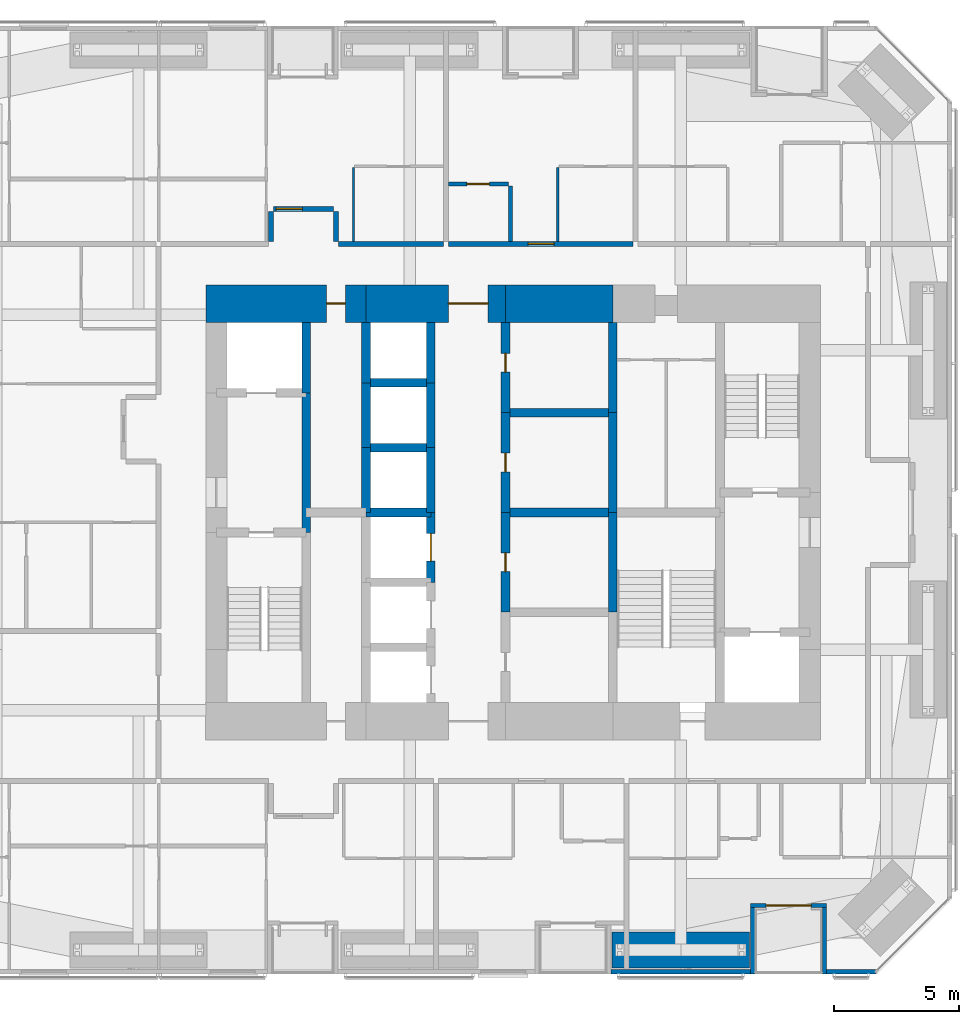
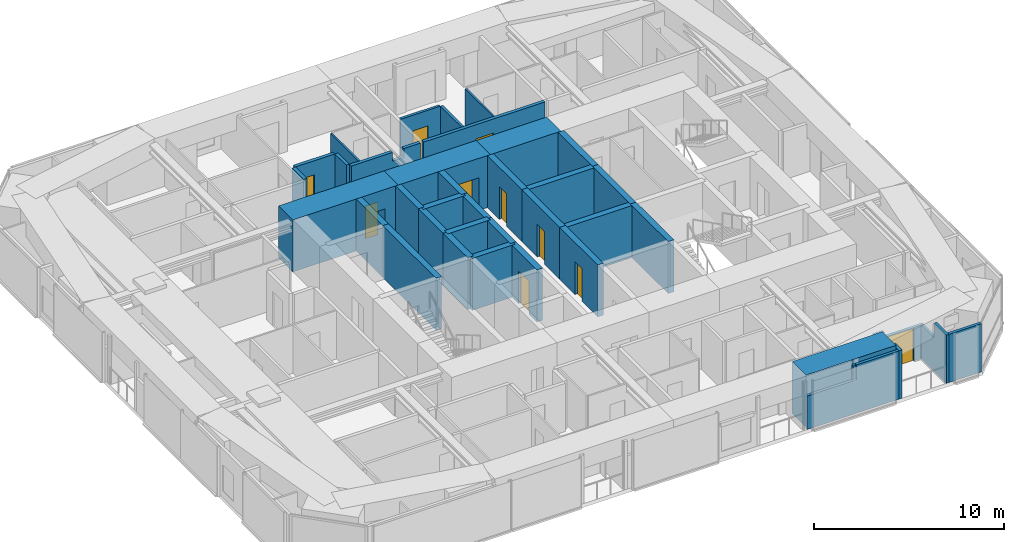
# One storey, part 20 of 25: 39 walls, 10 doors, 10 openings.
"""IFC4 building model written with IfcOpenShell, lengths in metres."""

from ifc_helpers import new_model, si_unit, direction, frame, frame_2d, origin, place, context, subcontext, project, spatial, polyline, rectangle, outline, extrude, material, layer, layer_set, constituent, constituent_set, type_object, element, fill, save


model = new_model("IFC4")

# Units and contexts
model_context = context("Model", 3, precision=1e-05, world=origin(), true_north=direction((0.0, 1.0)))
body_context = subcontext(model_context, "Body", "Model", "MODEL_VIEW")
ifc_project = project(units=[si_unit("LENGTHUNIT", "METRE"), si_unit("AREAUNIT", "SQUARE_METRE"), si_unit("VOLUMEUNIT", "CUBIC_METRE"), si_unit("PLANEANGLEUNIT", "RADIAN"), si_unit("MASSUNIT", "GRAM", prefix="KILO")], contexts=[model_context])

# Site, building, storey
site_placement = place(None, origin())
site = spatial("IfcSite", under=ifc_project, at=site_placement, CompositionType="ELEMENT")
building_placement = place(site_placement, origin())
building = spatial("IfcBuilding", under=site, at=building_placement, Name="Jalousie Tower", CompositionType="ELEMENT")
storey_placement = place(building_placement, frame((0.0, 0.0, 94.800048828125)))
storey = spatial("IfcBuildingStorey", under=building, at=storey_placement, Name="L25", CompositionType="ELEMENT", Elevation=94.800048828125)

# Wall, opening, door
ifc_material_1 = material(Name="Concrete block ASTM C90", Category="concrete")
ifc_constituent_1 = constituent(ifc_material_1, Name="Body")
ifc_material_2 = material(Name="Render")
ifc_constituent_2 = constituent(ifc_material_2, Name="Finish")
ifc_constituent_set_1 = constituent_set(constituents=[ifc_constituent_1, ifc_constituent_2])
wall_type_1 = type_object("IfcWallType", Name="BATHROOM WALL 150", PredefinedType="PLUMBINGWALL", material=ifc_constituent_set_1)
wall_1_placement = place(storey_placement, frame((29.300048828125, 31.675048828125, 0.0), z_axis=(0.0, 0.0, 1.0), x_axis=(1.0, 0.0, 0.0)))
wall_1 = element("IfcWall", 1, at=wall_1_placement, inside=storey, type_object=wall_type_1, Name="Bathroom Wall 150 L25", PredefinedType="PLUMBINGWALL", context=body_context, shape_type="SweptSolid", body=[
    extrude(rectangle(XDim=2.425048828125, YDim=0.14990234375, at=frame_2d((1.21240234375, 0.0))), origin(), (0.0, 0.0, 1.0), 3.10986328125),
])
opening_1_placement = place(wall_1_placement, frame((0.75, 0.0, 0.0)))
opening_1 = element("IfcOpeningElement", 2, at=opening_1_placement, cuts=wall_1, Name="Opening D3", PredefinedType="OPENING", context=body_context, shape_type="SweptSolid", body=[
    extrude(rectangle(XDim=0.89990234375, YDim=2.10009765625, at=frame_2d((0.449951171875, 1.050048828125))), frame((0.0, 0.0849609375, 0.0), z_axis=(0.0, -1.0, 0.0), x_axis=(1.0, 0.0, 0.0)), (0.0, 0.0, 1.0), 0.169921875),
])
ifc_material_3 = material(Name="Timber door", Category="wood")
door_type_1 = type_object("IfcDoorType", Name="BATHROOM DOOR 900", OperationType="SINGLE_SWING_LEFT", PredefinedType="DOOR", material=ifc_material_3)
door_1_placement = place(opening_1_placement, frame((0.89990234375, 0.0, 0.0), z_axis=(0.0, 0.0, 1.0), x_axis=(-1.0, 0.0, 0.0)))
door_1 = element("IfcDoor", 3, at=door_1_placement, inside=storey, type_object=door_type_1, Name="Apartment 2505 bathroom door", OperationType="SINGLE_SWING_RIGHT", OverallHeight=2.10009765625, OverallWidth=0.89990234375, PredefinedType="DOOR", context=body_context, shape_type="SweptSolid", body=[
    extrude(rectangle(XDim=0.89990234375, YDim=2.10009765625, at=frame_2d((0.449951171875, 1.050048828125))), frame((0.0, 0.02490234375, 0.0), z_axis=(0.0, -1.0, 0.0), x_axis=(1.0, 0.0, 0.0)), (0.0, 0.0, 1.0), 0.050048828125),
])
fill(opening_1, door_1)

# Walls
wall_2_placement = place(storey_placement, frame((31.800048828125, 31.60009765625, 0.0), z_axis=(0.0, 0.0, 1.0), x_axis=(0.0, -1.0, 0.0)))
element("IfcWall", 4, at=wall_2_placement, inside=storey, type_object=wall_type_1, Name="Bathroom Wall 150 L25", PredefinedType="PLUMBINGWALL", context=body_context, shape_type="SweptSolid", body=[
    extrude(rectangle(XDim=2.22509765625, YDim=0.14990234375, at=frame_2d((1.112548828125, 0.0))), origin(), (0.0, 0.0, 1.0), 3.10986328125),
])
ifc_material_4 = material(Name="Concrete f'c 120 MPa", Category="concrete")
ifc_layer_1 = layer(ifc_material_4, 1.5)
ifc_layer_set_1 = layer_set([ifc_layer_1], Name="Concrete f'c 120 MPa")
wall_type_2 = type_object("IfcWallType", Name="CORE WALL 1500", PredefinedType="SHEAR", material=ifc_layer_set_1)
wall_3_placement = place(storey_placement, frame((35.89990234375, 26.875, 0.0), z_axis=(0.0, 0.0, 1.0), x_axis=(-1.0, 0.0, 0.0)))
element("IfcWall", 5, at=wall_3_placement, inside=storey, type_object=wall_type_2, Name="Core wall NB L25", PredefinedType="SHEAR", context=body_context, shape_type="SweptSolid", body=[
    extrude(rectangle(XDim=4.2998046875, YDim=1.5, at=frame_2d((2.14990234375, 0.0))), origin(), (0.0, 0.0, 1.0), 3.349853515625),
])

# Wall, opening, door
wall_4_placement = place(storey_placement, frame((31.60009765625, 26.875, 0.0), z_axis=(0.0, 0.0, 1.0), x_axis=(-1.0, 0.0, 0.0)))
wall_4 = element("IfcWall", 6, at=wall_4_placement, inside=storey, type_object=wall_type_2, Name="Core wall NC L25", PredefinedType="SHEAR", context=body_context, shape_type="SweptSolid", body=[
    extrude(rectangle(XDim=5.60009765625, YDim=1.5, at=frame_2d((2.800048828125, 0.0))), origin(), (0.0, 0.0, 1.0), 3.349853515625),
])
opening_2_placement = place(wall_4_placement, frame((0.699951171875, 0.0, 0.0)))
opening_2 = element("IfcOpeningElement", 7, at=opening_2_placement, cuts=wall_4, Name="Opening D15", PredefinedType="OPENING", context=body_context, shape_type="SweptSolid", body=[
    extrude(rectangle(XDim=1.60009765625, YDim=2.10009765625, at=frame_2d((0.800048828125, 1.050048828125))), frame((0.0, 0.760009765625, 0.0), z_axis=(0.0, -1.0, 0.0), x_axis=(1.0, 0.0, 0.0)), (0.0, 0.0, 1.0), 1.52001953125),
])
ifc_material_5 = material(Name="Steel fire door", Category="steel")
door_type_2 = type_object("IfcDoorType", Name="LIFT LOBBY DOOR 1600", OperationType="DOUBLE_DOOR_SINGLE_SWING", PredefinedType="DOOR", material=ifc_material_5)
door_2_placement = place(opening_2_placement, origin())
door_2 = element("IfcDoor", 8, at=door_2_placement, inside=storey, type_object=door_type_2, Name="Lift lobby north door", OperationType="DOUBLE_DOOR_SINGLE_SWING", OverallHeight=2.10009765625, OverallWidth=1.60009765625, PredefinedType="DOOR", context=body_context, shape_type="SweptSolid", body=[
    extrude(rectangle(XDim=1.60009765625, YDim=2.10009765625, at=frame_2d((0.800048828125, 1.050048828125))), frame((0.0, 0.02490234375, 0.0), z_axis=(0.0, -1.0, 0.0), x_axis=(1.0, 0.0, 0.0)), (0.0, 0.0, 1.0), 0.050048828125),
])
fill(opening_2, door_2)

wall_5_placement = place(storey_placement, frame((26.0, 26.875, 0.0), z_axis=(0.0, 0.0, 1.0), x_axis=(-1.0, 0.0, 0.0)))
wall_5 = element("IfcWall", 9, at=wall_5_placement, inside=storey, type_object=wall_type_2, Name="Core wall ND L25", PredefinedType="SHEAR", context=body_context, shape_type="SweptSolid", body=[
    extrude(rectangle(XDim=6.425048828125, YDim=1.5, at=frame_2d((3.21240234375, 0.0))), origin(), (0.0, 0.0, 1.0), 3.349853515625),
])
opening_3_placement = place(wall_5_placement, frame((0.824951171875, 0.0, 0.0)))
opening_3 = element("IfcOpeningElement", 10, at=opening_3_placement, cuts=wall_5, Name="Opening D16", PredefinedType="OPENING", context=body_context, shape_type="SweptSolid", body=[
    extrude(rectangle(XDim=0.75, YDim=2.10009765625, at=frame_2d((0.375, 1.050048828125))), frame((0.0, 0.760009765625, 0.0), z_axis=(0.0, -1.0, 0.0), x_axis=(1.0, 0.0, 0.0)), (0.0, 0.0, 1.0), 1.52001953125),
])
ifc_material_6 = material(Name="Steel fire door", Category="steel")
door_type_3 = type_object("IfcDoorType", Name="RISER DOOR 750", OperationType="SINGLE_SWING_LEFT", PredefinedType="DOOR", material=ifc_material_6)
door_3_placement = place(opening_3_placement, origin())
door_3 = element("IfcDoor", 11, at=door_3_placement, inside=storey, type_object=door_type_3, Name="North riser door", OperationType="SINGLE_SWING_RIGHT", OverallHeight=2.10009765625, OverallWidth=0.75, PredefinedType="DOOR", context=body_context, shape_type="SweptSolid", body=[
    extrude(rectangle(XDim=0.75, YDim=2.10009765625, at=frame_2d((0.375, 1.050048828125))), frame((0.0, 0.02490234375, 0.0), z_axis=(0.0, -1.0, 0.0), x_axis=(1.0, 0.0, 0.0)), (0.0, 0.0, 1.0), 0.050048828125),
])
fill(opening_3, door_3)

# Walls
ifc_material_7 = material(Name="Concrete f'c 120 MPa", Category="concrete")
ifc_layer_2 = layer(ifc_material_7, 0.35009765625)
ifc_layer_set_2 = layer_set([ifc_layer_2], Name="Concrete f'c 120 MPa")
wall_type_3 = type_object("IfcWallType", Name="CORE WALL 350", PredefinedType="SHEAR", material=ifc_layer_set_2)
wall_6_placement = place(storey_placement, frame((23.60009765625, 17.699951171875, 0.0), z_axis=(0.0, 0.0, 1.0), x_axis=(0.0, 1.0, 0.0)))
element("IfcWall", 12, at=wall_6_placement, inside=storey, type_object=wall_type_3, Name="Core wall X23.6B L25", PredefinedType="SHEAR", context=body_context, shape_type="SweptSolid", body=[
    extrude(rectangle(XDim=5.60009765625, YDim=0.35009765625, at=frame_2d((2.800048828125, 0.0))), origin(), (0.0, 0.0, 1.0), 3.349853515625),
])
wall_7_placement = place(storey_placement, frame((23.60009765625, 23.300048828125, 0.0), z_axis=(0.0, 0.0, 1.0), x_axis=(0.0, 1.0, 0.0)))
element("IfcWall", 13, at=wall_7_placement, inside=storey, type_object=wall_type_3, Name="Core wall X23.6C L25", PredefinedType="SHEAR", context=body_context, shape_type="SweptSolid", body=[
    extrude(rectangle(XDim=2.824951171875, YDim=0.35009765625, at=frame_2d((1.41259765625, 0.0))), origin(), (0.0, 0.0, 1.0), 3.349853515625),
])
wall_8_placement = place(storey_placement, frame((26.0, 18.5, 0.0), z_axis=(0.0, 0.0, 1.0), x_axis=(0.0, 1.0, 0.0)))
element("IfcWall", 14, at=wall_8_placement, inside=storey, type_object=wall_type_3, Name="Core wall X26D L25", PredefinedType="SHEAR", context=body_context, shape_type="SweptSolid", body=[
    extrude(rectangle(XDim=2.60009765625, YDim=0.35009765625, at=frame_2d((1.300048828125, 0.0))), origin(), (0.0, 0.0, 1.0), 3.349853515625),
])
wall_9_placement = place(storey_placement, frame((26.0, 21.10009765625, 0.0), z_axis=(0.0, 0.0, 1.0), x_axis=(0.0, 1.0, 0.0)))
element("IfcWall", 15, at=wall_9_placement, inside=storey, type_object=wall_type_3, Name="Core wall X26E L25", PredefinedType="SHEAR", context=body_context, shape_type="SweptSolid", body=[
    extrude(rectangle(XDim=2.599853515625, YDim=0.35009765625, at=frame_2d((1.2998046875, 0.0))), origin(), (0.0, 0.0, 1.0), 3.349853515625),
])
wall_10_placement = place(storey_placement, frame((26.0, 23.699951171875, 0.0), z_axis=(0.0, 0.0, 1.0), x_axis=(0.0, 1.0, 0.0)))
element("IfcWall", 16, at=wall_10_placement, inside=storey, type_object=wall_type_3, Name="Core wall X26F L25", PredefinedType="SHEAR", context=body_context, shape_type="SweptSolid", body=[
    extrude(rectangle(XDim=2.425048828125, YDim=0.35009765625, at=frame_2d((1.21240234375, 0.0))), origin(), (0.0, 0.0, 1.0), 3.349853515625),
])

# Wall, opening, door
wall_11_placement = place(storey_placement, frame((28.60009765625, 15.699951171875, 0.0), z_axis=(0.0, 0.0, 1.0), x_axis=(0.0, 1.0, 0.0)))
wall_11 = element("IfcWall", 17, at=wall_11_placement, inside=storey, type_object=wall_type_3, Name="Core wall X28.6C L25", PredefinedType="SHEAR", context=body_context, shape_type="SweptSolid", body=[
    extrude(rectangle(XDim=2.800048828125, YDim=0.35009765625, at=frame_2d((1.39990234375, 0.0))), origin(), (0.0, 0.0, 1.0), 3.349853515625),
])
opening_4_placement = place(wall_11_placement, frame((0.85009765625, 0.0, 0.0)))
opening_4 = element("IfcOpeningElement", 18, at=opening_4_placement, cuts=wall_11, Name="Opening LD1", PredefinedType="OPENING", context=body_context, shape_type="SweptSolid", body=[
    extrude(rectangle(XDim=1.10009765625, YDim=2.10009765625, at=frame_2d((0.550048828125, 1.050048828125))), frame((0.0, 0.18505859375, 0.0), z_axis=(0.0, -1.0, 0.0), x_axis=(1.0, 0.0, 0.0)), (0.0, 0.0, 1.0), 0.3701171875),
])
ifc_material_8 = material(Name="Steel lift landing door", Category="steel")
door_type_4 = type_object("IfcDoorType", Name="LIFT LANDING DOOR 1100", OperationType="SLIDING_TO_LEFT", PredefinedType="DOOR", material=ifc_material_8)
door_4_placement = place(opening_4_placement, origin())
door_4 = element("IfcDoor", 19, at=door_4_placement, inside=storey, type_object=door_type_4, Name="Lift P3 landing door", OperationType="SLIDING_TO_LEFT", OverallHeight=2.10009765625, OverallWidth=1.10009765625, PredefinedType="DOOR", context=body_context, shape_type="SweptSolid", body=[
    extrude(rectangle(XDim=1.10009765625, YDim=2.10009765625, at=frame_2d((0.550048828125, 1.050048828125))), frame((0.0, 0.02490234375, 0.0), z_axis=(0.0, -1.0, 0.0), x_axis=(1.0, 0.0, 0.0)), (0.0, 0.0, 1.0), 0.050048828125),
])
fill(opening_4, door_4)

# Walls
wall_12_placement = place(storey_placement, frame((28.60009765625, 18.5, 0.0), z_axis=(0.0, 0.0, 1.0), x_axis=(0.0, 1.0, 0.0)))
element("IfcWall", 20, at=wall_12_placement, inside=storey, type_object=wall_type_3, Name="Core wall X28.6D L25", PredefinedType="SHEAR", context=body_context, shape_type="SweptSolid", body=[
    extrude(rectangle(XDim=2.60009765625, YDim=0.35009765625, at=frame_2d((1.300048828125, 0.0))), origin(), (0.0, 0.0, 1.0), 3.349853515625),
])
wall_13_placement = place(storey_placement, frame((28.60009765625, 21.10009765625, 0.0), z_axis=(0.0, 0.0, 1.0), x_axis=(0.0, 1.0, 0.0)))
element("IfcWall", 21, at=wall_13_placement, inside=storey, type_object=wall_type_3, Name="Core wall X28.6E L25", PredefinedType="SHEAR", context=body_context, shape_type="SweptSolid", body=[
    extrude(rectangle(XDim=2.599853515625, YDim=0.35009765625, at=frame_2d((1.2998046875, 0.0))), origin(), (0.0, 0.0, 1.0), 3.349853515625),
])
wall_14_placement = place(storey_placement, frame((28.60009765625, 23.699951171875, 0.0), z_axis=(0.0, 0.0, 1.0), x_axis=(0.0, 1.0, 0.0)))
element("IfcWall", 22, at=wall_14_placement, inside=storey, type_object=wall_type_3, Name="Core wall X28.6F L25", PredefinedType="SHEAR", context=body_context, shape_type="SweptSolid", body=[
    extrude(rectangle(XDim=2.425048828125, YDim=0.35009765625, at=frame_2d((1.21240234375, 0.0))), origin(), (0.0, 0.0, 1.0), 3.349853515625),
])

# Wall, opening, door
wall_15_placement = place(storey_placement, frame((31.60009765625, 14.5, 0.0), z_axis=(0.0, 0.0, 1.0), x_axis=(0.0, 1.0, 0.0)))
wall_15 = element("IfcWall", 23, at=wall_15_placement, inside=storey, type_object=wall_type_3, Name="Core wall X31.6B L25", PredefinedType="SHEAR", context=body_context, shape_type="SweptSolid", body=[
    extrude(rectangle(XDim=4.0, YDim=0.35009765625, at=frame_2d((2.0, 0.0))), origin(), (0.0, 0.0, 1.0), 3.349853515625),
])
opening_5_placement = place(wall_15_placement, frame((1.625, 0.0, 0.0)))
opening_5 = element("IfcOpeningElement", 24, at=opening_5_placement, cuts=wall_15, Name="Opening D16", PredefinedType="OPENING", context=body_context, shape_type="SweptSolid", body=[
    extrude(rectangle(XDim=0.75, YDim=2.10009765625, at=frame_2d((0.375, 1.050048828125))), frame((0.0, 0.18505859375, 0.0), z_axis=(0.0, -1.0, 0.0), x_axis=(1.0, 0.0, 0.0)), (0.0, 0.0, 1.0), 0.3701171875),
])
door_5_placement = place(opening_5_placement, frame((0.75, 0.0, 0.0), z_axis=(0.0, 0.0, 1.0), x_axis=(-1.0, 0.0, 0.0)))
door_5 = element("IfcDoor", 25, at=door_5_placement, inside=storey, type_object=door_type_3, Name="Electrical Room door", OperationType="SINGLE_SWING_RIGHT", OverallHeight=2.10009765625, OverallWidth=0.75, PredefinedType="DOOR", context=body_context, shape_type="SweptSolid", body=[
    extrude(rectangle(XDim=0.75, YDim=2.10009765625, at=frame_2d((0.375, 1.050048828125))), frame((0.0, 0.02490234375, 0.0), z_axis=(0.0, -1.0, 0.0), x_axis=(1.0, 0.0, 0.0)), (0.0, 0.0, 1.0), 0.050048828125),
])
fill(opening_5, door_5)

wall_16_placement = place(storey_placement, frame((31.60009765625, 18.5, 0.0), z_axis=(0.0, 0.0, 1.0), x_axis=(0.0, 1.0, 0.0)))
wall_16 = element("IfcWall", 26, at=wall_16_placement, inside=storey, type_object=wall_type_3, Name="Core wall X31.6C L25", PredefinedType="SHEAR", context=body_context, shape_type="SweptSolid", body=[
    extrude(rectangle(XDim=4.0, YDim=0.35009765625, at=frame_2d((2.0, 0.0))), origin(), (0.0, 0.0, 1.0), 3.349853515625),
])
opening_6_placement = place(wall_16_placement, frame((1.625, 0.0, 0.0)))
opening_6 = element("IfcOpeningElement", 27, at=opening_6_placement, cuts=wall_16, Name="Opening D16", PredefinedType="OPENING", context=body_context, shape_type="SweptSolid", body=[
    extrude(rectangle(XDim=0.75, YDim=2.10009765625, at=frame_2d((0.375, 1.050048828125))), frame((0.0, 0.18505859375, 0.0), z_axis=(0.0, -1.0, 0.0), x_axis=(1.0, 0.0, 0.0)), (0.0, 0.0, 1.0), 0.3701171875),
])
door_6_placement = place(opening_6_placement, frame((0.75, 0.0, 0.0), z_axis=(0.0, 0.0, 1.0), x_axis=(-1.0, 0.0, 0.0)))
door_6 = element("IfcDoor", 28, at=door_6_placement, inside=storey, type_object=door_type_3, Name="Telecom Room door", OperationType="SINGLE_SWING_RIGHT", OverallHeight=2.10009765625, OverallWidth=0.75, PredefinedType="DOOR", context=body_context, shape_type="SweptSolid", body=[
    extrude(rectangle(XDim=0.75, YDim=2.10009765625, at=frame_2d((0.375, 1.050048828125))), frame((0.0, 0.02490234375, 0.0), z_axis=(0.0, -1.0, 0.0), x_axis=(1.0, 0.0, 0.0)), (0.0, 0.0, 1.0), 0.050048828125),
])
fill(opening_6, door_6)

wall_17_placement = place(storey_placement, frame((31.60009765625, 22.5, 0.0), z_axis=(0.0, 0.0, 1.0), x_axis=(0.0, 1.0, 0.0)))
wall_17 = element("IfcWall", 29, at=wall_17_placement, inside=storey, type_object=wall_type_3, Name="Core wall X31.6D L25", PredefinedType="SHEAR", context=body_context, shape_type="SweptSolid", body=[
    extrude(rectangle(XDim=3.625, YDim=0.35009765625, at=frame_2d((1.8125, 0.0))), origin(), (0.0, 0.0, 1.0), 3.349853515625),
])
opening_7_placement = place(wall_17_placement, frame((1.625, 0.0, 0.0)))
opening_7 = element("IfcOpeningElement", 30, at=opening_7_placement, cuts=wall_17, Name="Opening D16", PredefinedType="OPENING", context=body_context, shape_type="SweptSolid", body=[
    extrude(rectangle(XDim=0.75, YDim=2.10009765625, at=frame_2d((0.375, 1.050048828125))), frame((0.0, 0.18505859375, 0.0), z_axis=(0.0, -1.0, 0.0), x_axis=(1.0, 0.0, 0.0)), (0.0, 0.0, 1.0), 0.3701171875),
])
door_7_placement = place(opening_7_placement, frame((0.75, 0.0, 0.0), z_axis=(0.0, 0.0, 1.0), x_axis=(-1.0, 0.0, 0.0)))
door_7 = element("IfcDoor", 31, at=door_7_placement, inside=storey, type_object=door_type_3, Name="Water Services Room door", OperationType="SINGLE_SWING_LEFT", OverallHeight=2.10009765625, OverallWidth=0.75, PredefinedType="DOOR", context=body_context, shape_type="SweptSolid", body=[
    extrude(rectangle(XDim=0.75, YDim=2.10009765625, at=frame_2d((0.375, 1.050048828125))), frame((0.0, 0.02490234375, 0.0), z_axis=(0.0, -1.0, 0.0), x_axis=(1.0, 0.0, 0.0)), (0.0, 0.0, 1.0), 0.050048828125),
])
fill(opening_7, door_7)

# Walls
for number, where, z_axis, x_axis, name in (
    (32, (35.89990234375, 14.5, 0.0), (0.0, 0.0, 1.0), (0.0, 1.0, 0.0), "Core wall X35.9B L25"),
    (33, (35.89990234375, 18.5, 0.0), (0.0, 0.0, 1.0), (0.0, 1.0, 0.0), "Core wall X35.9C L25"),
):
    element("IfcWall", number, at=place(storey_placement, frame(where, z_axis=z_axis, x_axis=x_axis)), inside=storey, type_object=wall_type_3, Name=name, PredefinedType="SHEAR", context=body_context, shape_type="SweptSolid", body=[
        extrude(rectangle(XDim=4.0, YDim=0.35009765625, at=frame_2d((2.0, 0.0))), origin(), (0.0, 0.0, 1.0), 3.349853515625),
    ])
wall_18_placement = place(storey_placement, frame((35.89990234375, 22.5, 0.0), z_axis=(0.0, 0.0, 1.0), x_axis=(0.0, 1.0, 0.0)))
element("IfcWall", 34, at=wall_18_placement, inside=storey, type_object=wall_type_3, Name="Core wall X35.9D L25", PredefinedType="SHEAR", context=body_context, shape_type="SweptSolid", body=[
    extrude(rectangle(XDim=3.625, YDim=0.35009765625, at=frame_2d((1.8125, 0.0))), origin(), (0.0, 0.0, 1.0), 3.349853515625),
])
for number, where, z_axis, x_axis, name in (
    (35, (26.0, 18.5, 0.0), (0.0, 0.0, 1.0), (1.0, 0.0, 0.0), "Core wall Y26-18.5 L25"),
    (36, (26.0, 21.10009765625, 0.0), (0.0, 0.0, 1.0), (1.0, 0.0, 0.0), "Core wall Y26-21.1 L25"),
    (37, (26.0, 23.699951171875, 0.0), (0.0, 0.0, 1.0), (1.0, 0.0, 0.0), "Core wall Y26-23.7 L25"),
):
    element("IfcWall", number, at=place(storey_placement, frame(where, z_axis=z_axis, x_axis=x_axis)), inside=storey, type_object=wall_type_3, Name=name, PredefinedType="SHEAR", context=body_context, shape_type="SweptSolid", body=[
        extrude(rectangle(XDim=2.60009765625, YDim=0.35009765625, at=frame_2d((1.300048828125, 0.0))), origin(), (0.0, 0.0, 1.0), 3.349853515625),
    ])
for number, where, z_axis, x_axis, name in (
    (38, (31.60009765625, 18.5, 0.0), (0.0, 0.0, 1.0), (1.0, 0.0, 0.0), "Core wall Y31.6-18.5 L25"),
    (39, (31.60009765625, 22.5, 0.0), (0.0, 0.0, 1.0), (1.0, 0.0, 0.0), "Core wall Y31.6-22.5 L25"),
):
    element("IfcWall", number, at=place(storey_placement, frame(where, z_axis=z_axis, x_axis=x_axis)), inside=storey, type_object=wall_type_3, Name=name, PredefinedType="SHEAR", context=body_context, shape_type="SweptSolid", body=[
        extrude(rectangle(XDim=4.2998046875, YDim=0.35009765625, at=frame_2d((2.14990234375, 0.0))), origin(), (0.0, 0.0, 1.0), 3.349853515625),
    ])

# Wall, opening, door
ifc_material_9 = material(Name="Concrete block ASTM C90", Category="concrete")
ifc_constituent_3 = constituent(ifc_material_9, Name="Body")
ifc_material_10 = material(Name="Render")
ifc_constituent_4 = constituent(ifc_material_10, Name="Finish")
ifc_constituent_set_2 = constituent_set(constituents=[ifc_constituent_3, ifc_constituent_4])
wall_type_4 = type_object("IfcWallType", Name="CORRIDOR WALL 200", PredefinedType="PARTITIONING", material=ifc_constituent_set_2)
wall_19_placement = place(storey_placement, frame((29.300048828125, 29.27490234375, 0.0), z_axis=(0.0, 0.0, 1.0), x_axis=(1.0, 0.0, 0.0)))
wall_19 = element("IfcWall", 40, at=wall_19_placement, inside=storey, type_object=wall_type_4, Name="Corridor Wall 200 L25", PredefinedType="PARTITIONING", context=body_context, shape_type="SweptSolid", body=[
    extrude(rectangle(XDim=7.39990234375, YDim=0.199951171875, at=frame_2d((3.699951171875, 0.0))), origin(), (0.0, 0.0, 1.0), 3.10986328125),
])
opening_8_placement = place(wall_19_placement, frame((3.199951171875, 0.0, 0.0)))
opening_8 = element("IfcOpeningElement", 41, at=opening_8_placement, cuts=wall_19, Name="Opening D1", PredefinedType="OPENING", context=body_context, shape_type="SweptSolid", body=[
    extrude(rectangle(XDim=1.050048828125, YDim=2.199951171875, at=frame_2d((0.52490234375, 1.10009765625))), frame((0.0, 0.10986328125, 0.0), z_axis=(0.0, -1.0, 0.0), x_axis=(1.0, 0.0, 0.0)), (0.0, 0.0, 1.0), 0.219970703125),
])
ifc_material_11 = material(Name="Timber fire door", Category="wood")
door_type_5 = type_object("IfcDoorType", Name="APARTMENT ENTRANCE DOOR 1050", OperationType="SINGLE_SWING_LEFT", PredefinedType="DOOR", material=ifc_material_11)
door_8_placement = place(opening_8_placement, origin())
door_8 = element("IfcDoor", 42, at=door_8_placement, inside=storey, type_object=door_type_5, Name="Apartment 2505 entrance", OperationType="SINGLE_SWING_RIGHT", OverallHeight=2.199951171875, OverallWidth=1.050048828125, PredefinedType="DOOR", context=body_context, shape_type="SweptSolid", body=[
    extrude(rectangle(XDim=1.050048828125, YDim=2.199951171875, at=frame_2d((0.52490234375, 1.10009765625))), frame((0.0, 0.02490234375, 0.0), z_axis=(0.0, -1.0, 0.0), x_axis=(1.0, 0.0, 0.0)), (0.0, 0.0, 1.0), 0.050048828125),
])
fill(opening_8, door_8)

# Wall
wall_20_placement = place(storey_placement, frame((24.89990234375, 29.27490234375, 0.0), z_axis=(0.0, 0.0, 1.0), x_axis=(1.0, 0.0, 0.0)))
element("IfcWall", 43, at=wall_20_placement, inside=storey, type_object=wall_type_4, Name="Corridor Wall 200 L25", PredefinedType="PARTITIONING", context=body_context, shape_type="SweptSolid", body=[
    extrude(outline(polyline([(0.0, 0.0), (4.2001953125, 0.0), (4.199951171875, 3.10986328125), (3.187255859375, 3.10986328125), (3.187255859375, 2.541015625), (2.5126953125, 2.541015625), (2.5126953125, 3.10986328125), (0.0, 3.10986328125), (0.0, 0.0)])), frame((0.0, 0.10009765625, 0.0), z_axis=(0.0, -1.0, 0.0), x_axis=(1.0, 0.0, 0.0)), (0.0, 0.0, 1.0), 0.199951171875),
])

# Wall, opening, door
wall_21_placement = place(storey_placement, frame((22.300048828125, 30.675048828125, 0.0), z_axis=(0.0, 0.0, 1.0), x_axis=(1.0, 0.0, 0.0)))
wall_21 = element("IfcWall", 44, at=wall_21_placement, inside=storey, type_object=wall_type_4, Name="Corridor Wall 200 L25", PredefinedType="PARTITIONING", context=body_context, shape_type="SweptSolid", body=[
    extrude(rectangle(XDim=2.39990234375, YDim=0.199951171875, at=frame_2d((1.199951171875, 0.0))), origin(), (0.0, 0.0, 1.0), 3.10986328125),
])
opening_9_placement = place(wall_21_placement, frame((0.10009765625, 0.0, 0.0)))
opening_9 = element("IfcOpeningElement", 45, at=opening_9_placement, cuts=wall_21, Name="Opening D1", PredefinedType="OPENING", context=body_context, shape_type="SweptSolid", body=[
    extrude(rectangle(XDim=1.050048828125, YDim=2.199951171875, at=frame_2d((0.52490234375, 1.10009765625))), frame((0.0, 0.10986328125, 0.0), z_axis=(0.0, -1.0, 0.0), x_axis=(1.0, 0.0, 0.0)), (0.0, 0.0, 1.0), 0.219970703125),
])
door_9_placement = place(opening_9_placement, origin())
door_9 = element("IfcDoor", 46, at=door_9_placement, inside=storey, type_object=door_type_5, Name="Apartment 2504 entrance", OperationType="SINGLE_SWING_LEFT", OverallHeight=2.199951171875, OverallWidth=1.050048828125, PredefinedType="DOOR", context=body_context, shape_type="SweptSolid", body=[
    extrude(rectangle(XDim=1.050048828125, YDim=2.199951171875, at=frame_2d((0.52490234375, 1.10009765625))), frame((0.0, 0.02490234375, 0.0), z_axis=(0.0, -1.0, 0.0), x_axis=(1.0, 0.0, 0.0)), (0.0, 0.0, 1.0), 0.050048828125),
])
fill(opening_9, door_9)

# Walls
for number, where, z_axis, x_axis, name in (
    (47, (22.199951171875, 29.375, 0.0), (0.0, 0.0, 1.0), (0.0, 1.0, 0.0), "Corridor Wall 200 L25"),
    (48, (24.800048828125, 29.375, 0.0), (0.0, 0.0, 1.0), (0.0, 1.0, 0.0), "Corridor Wall 200 L25"),
):
    element("IfcWall", number, at=place(storey_placement, frame(where, z_axis=z_axis, x_axis=x_axis)), inside=storey, type_object=wall_type_4, Name=name, PredefinedType="PARTITIONING", context=body_context, shape_type="SweptSolid", body=[
        extrude(rectangle(XDim=1.199951171875, YDim=0.199951171875, at=frame_2d((0.60009765625, 0.0))), origin(), (0.0, 0.0, 1.0), 3.10986328125),
    ])
ifc_material_12 = material(Name="Concrete f'c 40 MPa", Category="concrete")
ifc_constituent_5 = constituent(ifc_material_12, Name="Body")
ifc_material_13 = material(Name="Render, pastel sea green")
ifc_constituent_6 = constituent(ifc_material_13, Name="Finish")
ifc_constituent_set_3 = constituent_set(constituents=[ifc_constituent_5, ifc_constituent_6])
wall_type_5 = type_object("IfcWallType", Name="EXTERNAL WALL 175 SEA GREEN RENDER", PredefinedType="SOLIDWALL", material=ifc_constituent_set_3)
wall_22_placement = place(storey_placement, frame((35.824951171875, 0.08740234375, 0.0), z_axis=(0.0, 0.0, 1.0), x_axis=(1.0, 0.0, 0.0)))
element("IfcWall", 49, at=wall_22_placement, inside=storey, type_object=wall_type_5, Name="External Wall 175 Sea Green Render L25", PredefinedType="SOLIDWALL", context=body_context, shape_type="SweptSolid", body=[
    extrude(outline(polyline([(0.0, 0.0), (5.60009765625, 0.0), (5.60009765625, 3.10986328125), (3.00341796875, 3.10986328125), (3.00341796875, 2.14990234375), (2.9580078125, 2.14990234375), (2.9580078125, 3.10986328125), (2.800048828125, 3.10986328125), (2.800048828125, 2.14990234375), (0.0, 2.14990234375), (0.0, 0.0)])), frame((0.0, 0.08740234375, 0.0), z_axis=(0.0, -1.0, 0.0), x_axis=(1.0, 0.0, 0.0)), (0.0, 0.0, 1.0), 0.175048828125),
])
wall_23_placement = place(storey_placement, frame((44.47509765625, 0.08740234375, 0.0), z_axis=(0.0, 0.0, 1.0), x_axis=(1.0, 0.0, 0.0)))
element("IfcWall", 50, at=wall_23_placement, inside=storey, type_object=wall_type_5, Name="External Wall 175 Sea Green Render L25", PredefinedType="SOLIDWALL", context=body_context, shape_type="SweptSolid", body=[
    extrude(rectangle(XDim=1.9736328125, YDim=0.175048828125, at=frame_2d((0.98681640625, 0.0))), origin(), (0.0, 0.0, 1.0), 3.10986328125),
])
wall_24_placement = place(storey_placement, frame((41.425048828125, 2.737548828125, 0.0), z_axis=(0.0, 0.0, 1.0), x_axis=(1.0, 0.0, 0.0)))
element("IfcWall", 51, at=wall_24_placement, inside=storey, type_object=wall_type_5, Name="External Wall 175 Sea Green Render L25-A", PredefinedType="SOLIDWALL", context=body_context, shape_type="SweptSolid", body=[
    extrude(rectangle(XDim=0.625, YDim=0.175048828125, at=frame_2d((0.3125, 0.0))), origin(), (0.0, 0.0, 1.0), 2.510009765625),
])

# Wall, opening, door
wall_25_placement = place(storey_placement, frame((42.050048828125, 2.737548828125, 0.0), z_axis=(0.0, 0.0, 1.0), x_axis=(1.0, 0.0, 0.0)))
wall_25 = element("IfcWall", 52, at=wall_25_placement, inside=storey, type_object=wall_type_5, Name="External Wall 175 Sea Green Render L25-B", PredefinedType="SOLIDWALL", context=body_context, shape_type="SweptSolid", body=[
    extrude(rectangle(XDim=2.425048828125, YDim=0.175048828125, at=frame_2d((1.21240234375, 0.0))), origin(), (0.0, 0.0, 1.0), 2.14990234375),
])
opening_10_placement = place(wall_25_placement, origin())
opening_10 = element("IfcOpeningElement", 53, at=opening_10_placement, cuts=wall_25, Name="Opening D-BAL21", PredefinedType="OPENING", context=body_context, shape_type="SweptSolid", body=[
    extrude(rectangle(XDim=1.800048828125, YDim=2.10009765625, at=frame_2d((0.89990234375, 1.050048828125))), frame((0.0, 0.097412109375, 0.0), z_axis=(0.0, -1.0, 0.0), x_axis=(1.0, 0.0, 0.0)), (0.0, 0.0, 1.0), 0.195068359375),
])
ifc_material_14 = material(Name="Aluminium frame, impact-rated glazing", Category="aluminium")
door_type_6 = type_object("IfcDoorType", Name="BALCONY DOOR 1800x2100", OperationType="SLIDING_TO_LEFT", PredefinedType="DOOR", material=ifc_material_14)
door_10_placement = place(opening_10_placement, origin())
door_10 = element("IfcDoor", 54, at=door_10_placement, inside=storey, type_object=door_type_6, Name="Apartment 2503 living and dining room loggia door", OperationType="SLIDING_TO_LEFT", OverallHeight=2.10009765625, OverallWidth=1.800048828125, PredefinedType="DOOR", context=body_context, shape_type="SweptSolid", body=[
    extrude(rectangle(XDim=1.800048828125, YDim=2.10009765625, at=frame_2d((0.89990234375, 1.050048828125))), frame((0.0, 0.02490234375, 0.0), z_axis=(0.0, -1.0, 0.0), x_axis=(1.0, 0.0, 0.0)), (0.0, 0.0, 1.0), 0.050048828125),
])
fill(opening_10, door_10)

# Walls
wall_26_placement = place(storey_placement, frame((41.512451171875, 0.0, 0.0), z_axis=(0.0, 0.0, 1.0), x_axis=(0.0, 1.0, 0.0)))
element("IfcWall", 55, at=wall_26_placement, inside=storey, type_object=wall_type_5, Name="External Wall 175 Sea Green Render L25", PredefinedType="SOLIDWALL", context=body_context, shape_type="SweptSolid", body=[
    extrude(outline(polyline([(0.0, 0.0), (2.64990234375, 0.0), (2.64990234375, 2.510009765625), (2.373291015625, 2.510009765625), (2.373291015625, 2.14990234375), (0.70458984375, 2.14990234375), (0.70458984375, 3.10986328125), (0.0, 3.10986328125), (0.0, 0.0)])), frame((0.0, 0.08740234375, 0.0), z_axis=(0.0, -1.0, 0.0), x_axis=(1.0, 0.0, 0.0)), (0.0, 0.0, 1.0), 0.175048828125),
])
wall_27_placement = place(storey_placement, frame((44.387451171875, 0.0, 0.0), z_axis=(0.0, 0.0, 1.0), x_axis=(0.0, 1.0, 0.0)))
element("IfcWall", 56, at=wall_27_placement, inside=storey, type_object=wall_type_5, Name="External Wall 175 Sea Green Render L25", PredefinedType="SOLIDWALL", context=body_context, shape_type="SweptSolid", body=[
    extrude(outline(polyline([(0.0, 0.0), (2.64990234375, 0.0), (2.64990234375, 2.14990234375), (1.291015625, 2.14990234375), (1.291015625, 3.10986328125), (0.0, 3.10986328125), (0.0, 0.0)])), frame((0.0, 0.08740234375, 0.0), z_axis=(0.0, -1.0, 0.0), x_axis=(1.0, 0.0, 0.0)), (0.0, 0.0, 1.0), 0.175048828125),
])
ifc_material_15 = material(Name="Gypsum board", Category="gypsum")
ifc_constituent_7 = constituent(ifc_material_15, Name="Body")
ifc_material_16 = material(Name="Light-gauge steel studs ASTM A653 SS Grade 33", Category="steel")
ifc_constituent_8 = constituent(ifc_material_16, Name="Framing")
ifc_constituent_set_4 = constituent_set(constituents=[ifc_constituent_7, ifc_constituent_8])
wall_type_6 = type_object("IfcWallType", Name="PARTITION 100", PredefinedType="PARTITIONING", material=ifc_constituent_set_4)
for number, where, z_axis, x_axis, name in (
    (57, (25.5, 32.324951171875, 0.0), (0.0, 0.0, 1.0), (0.0, -1.0, 0.0), "Partition 100 L25"),
    (58, (33.699951171875, 32.324951171875, 0.0), (0.0, 0.0, 1.0), (0.0, -1.0, 0.0), "Partition 100 L25"),
):
    element("IfcWall", number, at=place(storey_placement, frame(where, z_axis=z_axis, x_axis=x_axis)), inside=storey, type_object=wall_type_6, Name=name, PredefinedType="PARTITIONING", context=body_context, shape_type="SweptSolid", body=[
        extrude(rectangle(XDim=2.949951171875, YDim=0.10009765625, at=frame_2d((1.47509765625, 0.0))), origin(), (0.0, 0.0, 1.0), 3.10986328125),
    ])
ifc_material_17 = material(Name="Concrete f'c 120 MPa", Category="concrete")
ifc_layer_3 = layer(ifc_material_17, 1.449951171875)
ifc_layer_set_3 = layer_set([ifc_layer_3], Name="Concrete f'c 120 MPa")
wall_type_7 = type_object("IfcWallType", Name="RC WALL PIER 1450", PredefinedType="SHEAR", material=ifc_layer_set_3)
wall_28_placement = place(storey_placement, frame((35.875, 0.949951171875, 0.0), z_axis=(0.0, 0.0, 1.0), x_axis=(1.0, 0.0, 0.0)))
element("IfcWall", 59, at=wall_28_placement, inside=storey, type_object=wall_type_7, Name="Wall pier 04 L25", PredefinedType="SHEAR", context=body_context, shape_type="SweptSolid", body=[
    extrude(rectangle(XDim=5.5, YDim=1.449951171875, at=frame_2d((2.75, 0.0))), origin(), (0.0, 0.0, 1.0), 3.349853515625),
])

save(model, "model.ifc")
